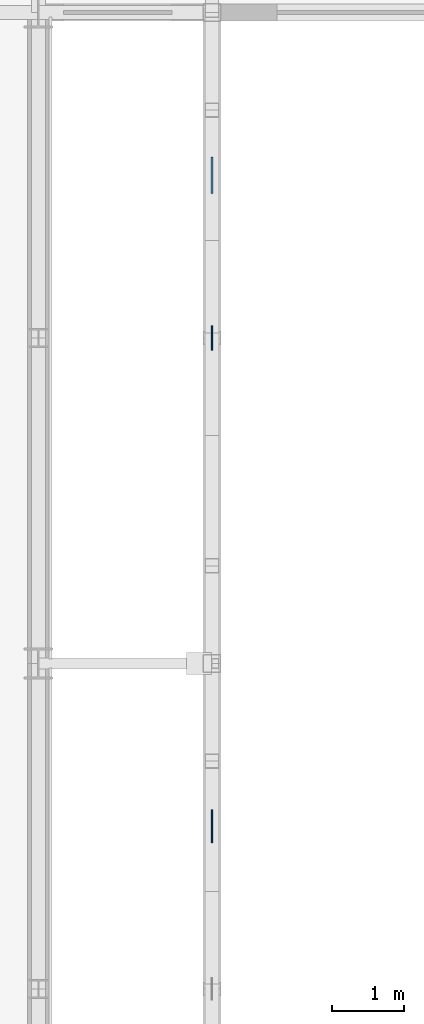
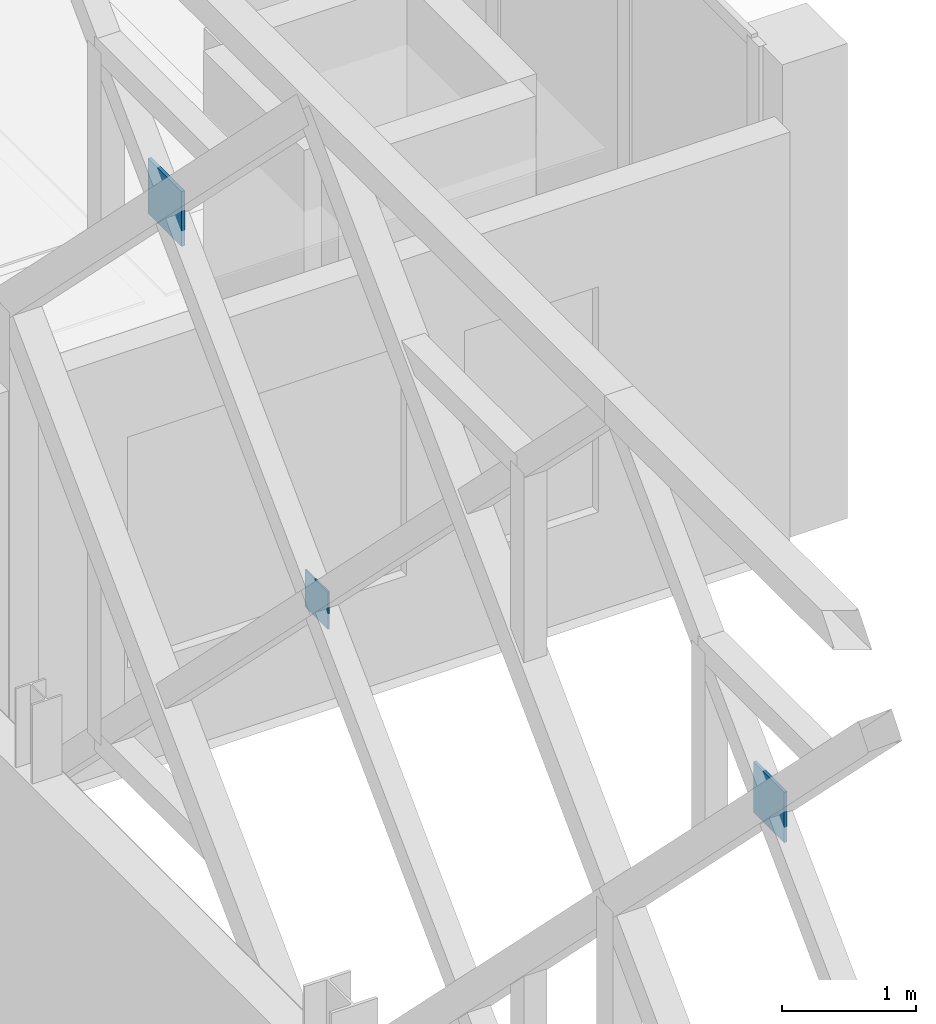
# One storey, part 85 of 140: 3 plates.
"""IFC4 building model written with IfcOpenShell, lengths in metres."""

from ifc_helpers import new_model, si_unit, direction, frame, origin, origin_2d, place, context, subcontext, project, spatial, rectangle, extrude, material, layer, layer_set, type_object, element, save


model = new_model("IFC4")

# Units and contexts
model_context = context("Model", 3, precision=1e-05, world=origin(), true_north=direction((0.0, 1.0)))
body_context = subcontext(model_context, "Body", "Model", "MODEL_VIEW")
ifc_project = project(units=[si_unit("LENGTHUNIT", "METRE"), si_unit("AREAUNIT", "SQUARE_METRE"), si_unit("VOLUMEUNIT", "CUBIC_METRE"), si_unit("PLANEANGLEUNIT", "RADIAN"), si_unit("MASSUNIT", "GRAM", prefix="KILO"), si_unit("THERMODYNAMICTEMPERATUREUNIT", "KELVIN"), si_unit("POWERUNIT", "WATT")], contexts=[model_context])

# Site, building, storey
site_placement = place(None, origin())
site = spatial("IfcSite", under=ifc_project, at=site_placement, CompositionType="ELEMENT")
building_placement = place(site_placement, origin())
building = spatial("IfcBuilding", under=site, at=building_placement, Name="Tallowbark Science Centre", CompositionType="ELEMENT")
storey_placement = place(building_placement, frame((0.0, 0.0, 9.89990234375)))
storey = spatial("IfcBuildingStorey", under=building, at=storey_placement, Name="L02", CompositionType="ELEMENT", Elevation=9.89990234375)

# Plates
ifc_material = material(Name="Structural Steel Grade 300PLUS (300 MPa)", Category="steel")
ifc_layer_1 = layer(ifc_material, 0.013916015625)
ifc_layer_set_1 = layer_set([ifc_layer_1], Name="Structural Steel Grade 300PLUS (300 MPa)")
plate_type_1 = type_object("IfcPlateType", Name="PLT-GUS-14", PredefinedType="SHEET", material=ifc_layer_set_1)
plate_1_placement = place(storey_placement, frame((105.89990234375, 36.0, 4.330078125), z_axis=(0.0, 0.0, 1.0), x_axis=(0.0, 1.0, 0.0)))
element("IfcPlate", 1, at=plate_1_placement, inside=storey, type_object=plate_type_1, Name="Star X-Brace Crossing Gusset Plate E-35", PredefinedType="SHEET", context=body_context, shape_type="SweptSolid", body=[
    extrude(rectangle(XDim=0.340087890625, YDim=0.013916015625, at=origin_2d()), origin(), (0.0, 0.0, 1.0), 0.340087890625),
])
ifc_layer_2 = layer(ifc_material, 0.02587890625)
ifc_layer_set_2 = layer_set([ifc_layer_2], Name="Structural Steel Grade 300PLUS (300 MPa)")
plate_type_2 = type_object("IfcPlateType", Name="PLT-GUS-26", PredefinedType="SHEET", material=ifc_layer_set_2)
plate_2_placement = place(storey_placement, frame((105.89990234375, 29.25, 6.52001953125), z_axis=(0.0, 0.0, 1.0), x_axis=(0.0, 1.0, 0.0)))
element("IfcPlate", 2, at=plate_2_placement, inside=storey, type_object=plate_type_2, Name="Star Primary Chord Crossing Gusset Plate E-33", PredefinedType="SHEET", context=body_context, shape_type="SweptSolid", body=[
    extrude(rectangle(XDim=0.4599609375, YDim=0.02587890625, at=origin_2d()), origin(), (0.0, 0.0, 1.0), 0.4599609375),
])
ifc_layer_3 = layer(ifc_material, 0.030029296875)
ifc_layer_set_3 = layer_set([ifc_layer_3], Name="Structural Steel Grade 300PLUS (300 MPa)")
plate_type_3 = type_object("IfcPlateType", Name="PLT-GUS-30", PredefinedType="SHEET", material=ifc_layer_set_3)
plate_3_placement = place(storey_placement, frame((105.89990234375, 38.25, 6.5), z_axis=(0.0, 0.0, 1.0), x_axis=(0.0, 1.0, 0.0)))
element("IfcPlate", 3, at=plate_3_placement, inside=storey, type_object=plate_type_3, Name="Star Primary Chord Crossing Gusset Plate E-35", PredefinedType="SHEET", context=body_context, shape_type="SweptSolid", body=[
    extrude(rectangle(XDim=0.5, YDim=0.030029296875, at=origin_2d()), origin(), (0.0, 0.0, 1.0), 0.5),
])

save(model, "model.ifc")
